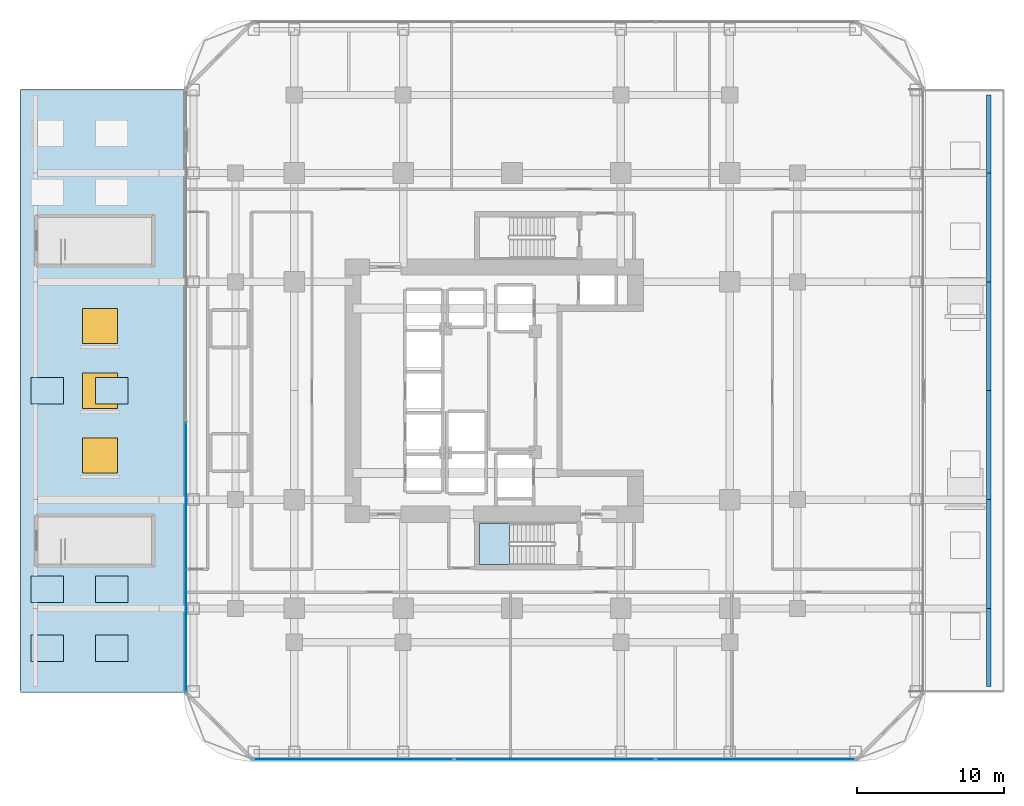
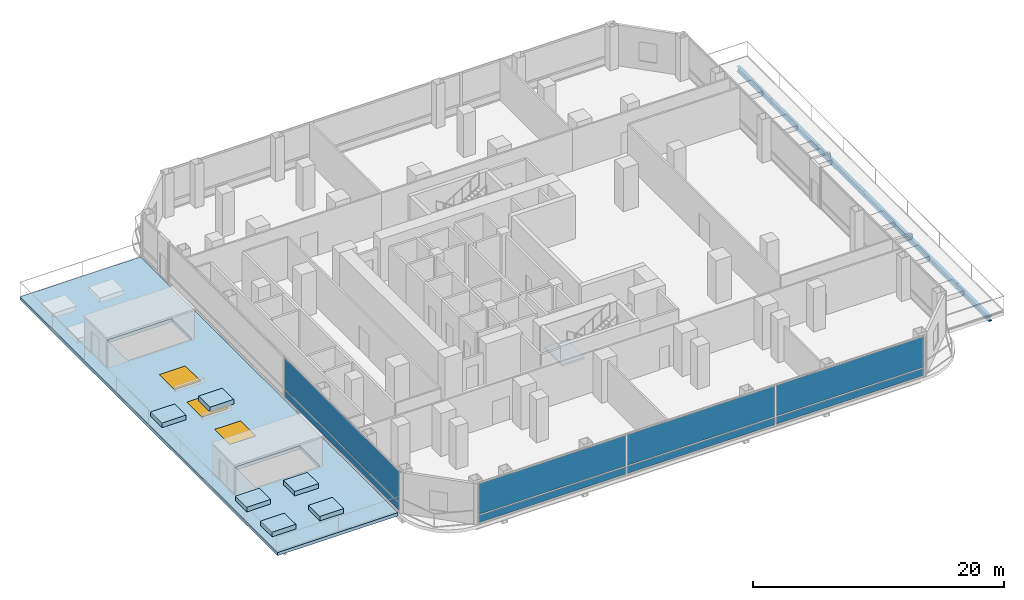
# One storey, part 20 of 29: 8 plates, 8 slabs, 6 beams, 3 windows, 3 openings, 3 elements without a shape of their own.
"""IFC4 building model written with IfcOpenShell, lengths in metres."""

from ifc_helpers import new_model, si_unit, direction, frame, origin, origin_2d, place, context, subcontext, project, spatial, polyline, rectangle, i_section, outline, extrude, material, layer, layer_set, material_profile, profile_set, type_object, element, fill, aggregate, save


model = new_model("IFC4")

# Units and contexts
model_context = context("Model", 3, precision=1e-05, world=origin(), true_north=direction((0.0, 1.0)))
body_context = subcontext(model_context, "Body", "Model", "MODEL_VIEW")
ifc_project = project(units=[si_unit("LENGTHUNIT", "METRE"), si_unit("AREAUNIT", "SQUARE_METRE"), si_unit("VOLUMEUNIT", "CUBIC_METRE"), si_unit("PLANEANGLEUNIT", "RADIAN"), si_unit("MASSUNIT", "GRAM", prefix="KILO")], contexts=[model_context])

# Site, building, storey
site_placement = place(None, origin())
site = spatial("IfcSite", under=ifc_project, at=site_placement, CompositionType="ELEMENT")
building_placement = place(site_placement, origin())
building = spatial("IfcBuilding", under=site, at=building_placement, Name="Khorvyn Point Tower", CompositionType="ELEMENT")
storey_placement = place(building_placement, frame((0.0, 0.0, 26.39990234375)))
storey = spatial("IfcBuildingStorey", under=building, at=storey_placement, Name="L07", CompositionType="ELEMENT", Elevation=26.39990234375)

# Beams
ifc_material_1 = material(Name="Steel S355", Category="steel")
ifc_material_profile = material_profile(ifc_material_1, i_section(OverallWidth=0.300048828125, OverallDepth=0.488037109375, WebThickness=0.010986328125, FlangeThickness=0.01806640625, at=origin_2d()))
ifc_profile_set = profile_set([ifc_material_profile], Name="Steel S355 H488x300x11x18")
beam_type = type_object("IfcBeamType", Name="Steel S355 Spandrel H488x300x11x18", PredefinedType="SPANDREL", material=ifc_profile_set)
beam_1_placement = place(storey_placement, frame((32.39990234375, -20.10009765625, -0.56396484375), z_axis=(0.0, 1.0, 0.0), x_axis=(-1.0, 0.0, 0.0)))
element("IfcBeam", 1, at=beam_1_placement, inside=storey, type_object=beam_type, Name="Beam", PredefinedType="SPANDREL", context=body_context, shape_type="SweptSolid", body=[
    extrude(i_section(OverallWidth=0.300048828125, OverallDepth=0.488037109375, WebThickness=0.010986328125, FlangeThickness=0.01806640625, at=origin_2d()), origin(), (0.0, 0.0, 1.0), 5.300048828125),
])
beam_2_placement = place(storey_placement, frame((32.39990234375, -14.800048828125, -0.56396484375), z_axis=(0.0, 1.0, 0.0), x_axis=(-1.0, 0.0, 0.0)))
element("IfcBeam", 2, at=beam_2_placement, inside=storey, type_object=beam_type, Name="Beam", PredefinedType="SPANDREL", context=body_context, shape_type="SweptSolid", body=[
    extrude(i_section(OverallWidth=0.300048828125, OverallDepth=0.488037109375, WebThickness=0.010986328125, FlangeThickness=0.01806640625, at=origin_2d()), origin(), (0.0, 0.0, 1.0), 7.400146484375),
])
for number, where, z_axis, x_axis, name in (
    (3, (32.39990234375, -7.39990234375, -0.56396484375), (0.0, 1.0, 0.0), (-1.0, 0.0, 0.0), "Beam"),
    (4, (32.39990234375, 0.0, -0.56396484375), (0.0, 1.0, 0.0), (-1.0, 0.0, 0.0), "Beam"),
):
    element("IfcBeam", number, at=place(storey_placement, frame(where, z_axis=z_axis, x_axis=x_axis)), inside=storey, type_object=beam_type, Name=name, PredefinedType="SPANDREL", context=body_context, shape_type="SweptSolid", body=[
        extrude(i_section(OverallWidth=0.300048828125, OverallDepth=0.488037109375, WebThickness=0.010986328125, FlangeThickness=0.01806640625, at=origin_2d()), origin(), (0.0, 0.0, 1.0), 7.39990234375),
    ])
beam_3_placement = place(storey_placement, frame((32.39990234375, 7.39990234375, -0.56396484375), z_axis=(0.0, 1.0, 0.0), x_axis=(-1.0, 0.0, 0.0)))
element("IfcBeam", 5, at=beam_3_placement, inside=storey, type_object=beam_type, Name="Beam", PredefinedType="SPANDREL", context=body_context, shape_type="SweptSolid", body=[
    extrude(i_section(OverallWidth=0.300048828125, OverallDepth=0.488037109375, WebThickness=0.010986328125, FlangeThickness=0.01806640625, at=origin_2d()), origin(), (0.0, 0.0, 1.0), 7.400146484375),
])
beam_4_placement = place(storey_placement, frame((32.39990234375, 14.800048828125, -0.56396484375), z_axis=(0.0, 1.0, 0.0), x_axis=(-1.0, 0.0, 0.0)))
element("IfcBeam", 6, at=beam_4_placement, inside=storey, type_object=beam_type, Name="Beam", PredefinedType="SPANDREL", context=body_context, shape_type="SweptSolid", body=[
    extrude(i_section(OverallWidth=0.300048828125, OverallDepth=0.488037109375, WebThickness=0.010986328125, FlangeThickness=0.01806640625, at=origin_2d()), origin(), (0.0, 0.0, 1.0), 5.300048828125),
])

# Slabs
ifc_material_2 = material(Name="Concrete C35/45", Category="concrete")
ifc_layer_1 = layer(ifc_material_2, 0.449951171875)
ifc_layer_set_1 = layer_set([ifc_layer_1], Name="Concrete C35/45 Structural Garden Planter 450")
slab_type_1 = type_object("IfcSlabType", Name="Concrete C35/45 Structural Garden Planter 450", PredefinedType="USERDEFINED", material=ifc_layer_set_1)
slab_1_placement = place(storey_placement, origin())
element("IfcSlab", 7, at=slab_1_placement, inside=storey, type_object=slab_type_1, Name="L07 Botanical Garden Raised Planter 01", ObjectType="PLANTER", PredefinedType="USERDEFINED", context=body_context, shape_type="SweptSolid", body=[
    extrude(outline(polyline([(-32.699951171875, -18.39990234375), (-30.5, -18.39990234375), (-30.5, -16.60009765625), (-32.699951171875, -16.60009765625), (-32.699951171875, -18.39990234375)])), origin(), (0.0, 0.0, 1.0), 0.4501953125),
])
slab_2_placement = place(storey_placement, origin())
element("IfcSlab", 8, at=slab_2_placement, inside=storey, type_object=slab_type_1, Name="L07 Botanical Garden Raised Planter 02", ObjectType="PLANTER", PredefinedType="USERDEFINED", context=body_context, shape_type="SweptSolid", body=[
    extrude(outline(polyline([(-28.300048828125, -18.39990234375), (-26.10009765625, -18.39990234375), (-26.10009765625, -16.60009765625), (-28.300048828125, -16.60009765625), (-28.300048828125, -18.39990234375)])), origin(), (0.0, 0.0, 1.0), 0.4501953125),
])
slab_3_placement = place(storey_placement, origin())
element("IfcSlab", 9, at=slab_3_placement, inside=storey, type_object=slab_type_1, Name="L07 Botanical Garden Raised Planter 03", ObjectType="PLANTER", PredefinedType="USERDEFINED", context=body_context, shape_type="SweptSolid", body=[
    extrude(outline(polyline([(-32.699951171875, -14.39990234375), (-30.5, -14.39990234375), (-30.5, -12.60009765625), (-32.699951171875, -12.60009765625), (-32.699951171875, -14.39990234375)])), origin(), (0.0, 0.0, 1.0), 0.4501953125),
])
slab_4_placement = place(storey_placement, origin())
element("IfcSlab", 10, at=slab_4_placement, inside=storey, type_object=slab_type_1, Name="L07 Botanical Garden Raised Planter 04", ObjectType="PLANTER", PredefinedType="USERDEFINED", context=body_context, shape_type="SweptSolid", body=[
    extrude(outline(polyline([(-28.300048828125, -14.39990234375), (-26.10009765625, -14.39990234375), (-26.10009765625, -12.60009765625), (-28.300048828125, -12.60009765625), (-28.300048828125, -14.39990234375)])), origin(), (0.0, 0.0, 1.0), 0.4501953125),
])
slab_5_placement = place(storey_placement, origin())
element("IfcSlab", 11, at=slab_5_placement, inside=storey, type_object=slab_type_1, Name="L07 Botanical Garden Raised Planter 05", ObjectType="PLANTER", PredefinedType="USERDEFINED", context=body_context, shape_type="SweptSolid", body=[
    extrude(outline(polyline([(-32.699951171875, -0.89990234375), (-30.5, -0.89990234375), (-30.5, 0.89990234375), (-32.699951171875, 0.89990234375), (-32.699951171875, -0.89990234375)])), origin(), (0.0, 0.0, 1.0), 0.4501953125),
])
slab_6_placement = place(storey_placement, origin())
element("IfcSlab", 12, at=slab_6_placement, inside=storey, type_object=slab_type_1, Name="L07 Botanical Garden Raised Planter 06", ObjectType="PLANTER", PredefinedType="USERDEFINED", context=body_context, shape_type="SweptSolid", body=[
    extrude(outline(polyline([(-28.300048828125, -0.89990234375), (-26.10009765625, -0.89990234375), (-26.10009765625, 0.89990234375), (-28.300048828125, 0.89990234375), (-28.300048828125, -0.89990234375)])), origin(), (0.0, 0.0, 1.0), 0.4501953125),
])

# Slab, openings, windows
ifc_material_3 = material(Name="Concrete C40/50", Category="concrete")
ifc_layer_2 = layer(ifc_material_3, 0.300048828125)
ifc_layer_set_2 = layer_set([ifc_layer_2], Name="Concrete C40/50 Botanical Garden Roof Slab 300")
slab_type_2 = type_object("IfcSlabType", Name="Concrete C40/50 Botanical Garden Roof Slab 300", PredefinedType="ROOF", material=ifc_layer_set_2)
slab_7_placement = place(storey_placement, frame((0.0, 0.0, -0.31982421875)))
slab_7 = element("IfcSlab", 13, at=slab_7_placement, inside=storey, type_object=slab_type_2, Name="L07 West Raised Botanical Garden and School Play Deck", PredefinedType="ROOF", context=body_context, shape_type="SweptSolid", body=[
    extrude(outline(polyline([(-33.39990234375, 20.5), (-22.320068359375, 20.5), (-22.320068359375, -20.5), (-33.39990234375, -20.5), (-33.39990234375, 20.5)]), holes=[polyline([(-30.3798828125, -8.56005859375), (-30.3798828125, -11.820068359375), (-24.449951171875, -11.820068359375), (-24.449951171875, -8.56005859375), (-30.3798828125, -8.56005859375)]), polyline([(-30.3798828125, 11.820068359375), (-30.3798828125, 8.56005859375), (-24.449951171875, 8.56005859375), (-24.449951171875, 11.820068359375), (-30.3798828125, 11.820068359375)])]), origin(), (0.0, 0.0, 1.0), 0.31982421875),
])
opening_1_placement = place(slab_7_placement, frame((-28.0, -4.39990234375, 0.0)))
opening_1 = element("IfcOpeningElement", 14, at=opening_1_placement, cuts=slab_7, Name="Opening SK-2424", PredefinedType="OPENING", context=body_context, shape_type="SweptSolid", body=[
    extrude(rectangle(XDim=2.39990234375, YDim=2.39990234375, at=origin_2d()), origin(), (0.0, 0.0, 1.0), 0.31982421875),
])
opening_2_placement = place(slab_7_placement, frame((-28.0, 4.39990234375, 0.0)))
opening_2 = element("IfcOpeningElement", 15, at=opening_2_placement, cuts=slab_7, Name="Opening SK-2424", PredefinedType="OPENING", context=body_context, shape_type="SweptSolid", body=[
    extrude(rectangle(XDim=2.39990234375, YDim=2.39990234375, at=origin_2d()), origin(), (0.0, 0.0, 1.0), 0.31982421875),
])
opening_3_placement = place(slab_7_placement, frame((-28.0, 0.0, 0.0)))
opening_3 = element("IfcOpeningElement", 16, at=opening_3_placement, cuts=slab_7, Name="Opening SK-2424", PredefinedType="OPENING", context=body_context, shape_type="SweptSolid", body=[
    extrude(rectangle(XDim=2.39990234375, YDim=2.39990234375, at=origin_2d()), origin(), (0.0, 0.0, 1.0), 0.31982421875),
])
ifc_material_4 = material(Name="Anodised aluminium 6063-T6 and laminated Low-E glass", Category="aluminium")
window_type = type_object("IfcWindowType", Name="Anodised Aluminium Laminated Safety-Glass Roof Skylight 2400x2400", PartitioningType="SINGLE_PANEL", PredefinedType="SKYLIGHT", material=ifc_material_4)
window_1_placement = place(opening_1_placement, frame((0.0, 0.0, 0.269775390625)))
window_1 = element("IfcWindow", 17, at=window_1_placement, inside=storey, type_object=window_type, Name="L07 Podium Classroom Roof Skylight 01", OverallHeight=2.39990234375, OverallWidth=2.39990234375, PartitioningType="SINGLE_PANEL", PredefinedType="SKYLIGHT", context=body_context, shape_type="SweptSolid", body=[
    extrude(rectangle(XDim=2.39990234375, YDim=2.39990234375, at=origin_2d()), origin(), (0.0, 0.0, 1.0), 0.050048828125),
])
fill(opening_1, window_1)
window_2_placement = place(opening_2_placement, frame((0.0, 0.0, 0.269775390625)))
window_2 = element("IfcWindow", 18, at=window_2_placement, inside=storey, type_object=window_type, Name="L07 Podium Classroom Roof Skylight 02", OverallHeight=2.39990234375, OverallWidth=2.39990234375, PartitioningType="SINGLE_PANEL", PredefinedType="SKYLIGHT", context=body_context, shape_type="SweptSolid", body=[
    extrude(rectangle(XDim=2.39990234375, YDim=2.39990234375, at=origin_2d()), origin(), (0.0, 0.0, 1.0), 0.050048828125),
])
fill(opening_2, window_2)
window_3_placement = place(opening_3_placement, frame((0.0, 0.0, 0.269775390625)))
window_3 = element("IfcWindow", 19, at=window_3_placement, inside=storey, type_object=window_type, Name="L07 Podium Classroom Roof Skylight 03", OverallHeight=2.39990234375, OverallWidth=2.39990234375, PartitioningType="SINGLE_PANEL", PredefinedType="SKYLIGHT", context=body_context, shape_type="SweptSolid", body=[
    extrude(rectangle(XDim=2.39990234375, YDim=2.39990234375, at=origin_2d()), origin(), (0.0, 0.0, 1.0), 0.050048828125),
])
fill(opening_3, window_3)

# Stair, slab
stair_type = type_object("IfcStairType", Name="Tower Concrete C40/50 Dogleg Exit Stair", PredefinedType="HALF_TURN_STAIR", material=ifc_material_3)
stair_placement = place(storey_placement, origin())
stair = element("IfcStair", 20, at=stair_placement, inside=storey, type_object=stair_type, Name="L07 Tower Smokeproof Exit Stair South", PredefinedType="HALF_TURN_STAIR")
ifc_layer_3 = layer(ifc_material_3, 0.199951171875)
ifc_layer_set_3 = layer_set([ifc_layer_3], Name="Concrete C40/50 Stair Landing Slab 200")
slab_type_3 = type_object("IfcSlabType", Name="Concrete C40/50 Stair Landing Slab 200", PredefinedType="LANDING", material=ifc_layer_set_3)
slab_8_placement = place(storey_placement, frame((0.0, 0.0, 1.900146484375)))
slab_8 = element("IfcSlab", 21, at=slab_8_placement, type_object=slab_type_3, Name="ST-01 landing 1", PredefinedType="LANDING", context=body_context, shape_type="SweptSolid", body=[
    extrude(outline(polyline([(-0.179931640625, -9.02001953125), (-2.199951171875, -9.02001953125), (-2.199951171875, -11.820068359375), (-0.179931640625, -11.820068359375), (-0.179931640625, -9.02001953125)])), origin(), (0.0, 0.0, 1.0), 0.199951171875),
])
aggregate(stair, [slab_8])

# Curtain wall, plates
ifc_layer_4 = layer(ifc_material_4, 0.18994140625)
ifc_layer_set_4 = layer_set([ifc_layer_4], Name="Stick-Built Finned Residential Curtain Wall CW-SYS-02")
curtain_wall_type = type_object("IfcCurtainWallType", Name="Stick-Built Finned Residential Curtain Wall CW-SYS-02", PredefinedType="NOTDEFINED", material=ifc_layer_set_4)
curtain_wall_1_placement = place(storey_placement, origin())
curtain_wall_1 = element("IfcCurtainWall", 22, at=curtain_wall_1_placement, inside=storey, type_object=curtain_wall_type, Name="Curtain Wall", PredefinedType="NOTDEFINED")
ifc_material_5 = material(Name="Pale anodised aluminium 5005", Category="aluminium")
ifc_layer_5 = layer(ifc_material_5, 0.0400390625)
ifc_layer_set_5 = layer_set([ifc_layer_5], Name="Pale Champagne Aluminium Insulated Spandrel Panel CW-SP40")
plate_type_1 = type_object("IfcPlateType", Name="Pale Champagne Aluminium Insulated Spandrel Panel CW-SP40", PredefinedType="SHEET", material=ifc_layer_set_5)
plate_1_placement = place(storey_placement, frame((16.574951171875, -25.050048828125, 0.10009765625), z_axis=(0.0, 0.0, 1.0), x_axis=(-1.0, 0.0, 0.0)))
plate_1 = element("IfcPlate", 23, at=plate_1_placement, type_object=plate_type_1, Name="Panel", PredefinedType="SHEET", context=body_context, shape_type="SweptSolid", body=[
    extrude(rectangle(XDim=13.550048828125, YDim=0.0400390625, at=origin_2d()), origin(), (0.0, 0.0, 1.0), 0.699951171875),
])
plate_2_placement = place(storey_placement, frame((2.89990234375, -25.050048828125, 0.10009765625), z_axis=(0.0, 0.0, 1.0), x_axis=(-1.0, 0.0, 0.0)))
plate_2 = element("IfcPlate", 24, at=plate_2_placement, type_object=plate_type_1, Name="Panel", PredefinedType="SHEET", context=body_context, shape_type="SweptSolid", body=[
    extrude(rectangle(XDim=13.60009765625, YDim=0.0400390625, at=origin_2d()), origin(), (0.0, 0.0, 1.0), 0.699951171875),
])
plate_3_placement = place(storey_placement, frame((-10.77490234375, -25.050048828125, 0.10009765625), z_axis=(0.0, 0.0, 1.0), x_axis=(-1.0, 0.0, 0.0)))
plate_3 = element("IfcPlate", 25, at=plate_3_placement, type_object=plate_type_1, Name="Panel", PredefinedType="SHEET", context=body_context, shape_type="SweptSolid", body=[
    extrude(rectangle(XDim=13.550048828125, YDim=0.0400390625, at=origin_2d()), origin(), (0.0, 0.0, 1.0), 0.699951171875),
])

# Curtain wall, plate
curtain_wall_2_placement = place(storey_placement, origin())
curtain_wall_2 = element("IfcCurtainWall", 26, at=curtain_wall_2_placement, inside=storey, type_object=curtain_wall_type, Name="Curtain Wall", PredefinedType="NOTDEFINED")
plate_4_placement = place(storey_placement, frame((-22.14990234375, -11.302490234375, 0.10009765625), z_axis=(0.0, 0.0, 1.0), x_axis=(0.0, 1.0, 0.0)))
plate_4 = element("IfcPlate", 27, at=plate_4_placement, type_object=plate_type_1, Name="Panel", PredefinedType="SHEET", context=body_context, shape_type="SweptSolid", body=[
    extrude(rectangle(XDim=18.294921875, YDim=0.0400390625, at=origin_2d()), origin(), (0.0, 0.0, 1.0), 0.699951171875),
])

# Plate
ifc_material_6 = material(Name="Laminated Low-E insulated glass", Category="glass")
ifc_layer_6 = layer(ifc_material_6, 0.028076171875)
ifc_layer_set_6 = layer_set([ifc_layer_6], Name="Tempered Low-E Vision Glazing Panel CW-GL28")
plate_type_2 = type_object("IfcPlateType", Name="Tempered Low-E Vision Glazing Panel CW-GL28", PredefinedType="CURTAIN_PANEL", material=ifc_layer_set_6)
plate_5_placement = place(storey_placement, frame((16.574951171875, -25.050048828125, 0.900146484375), z_axis=(0.0, 0.0, 1.0), x_axis=(-1.0, 0.0, 0.0)))
plate_5 = element("IfcPlate", 28, at=plate_5_placement, type_object=plate_type_2, Name="Panel", PredefinedType="CURTAIN_PANEL", context=body_context, shape_type="SweptSolid", body=[
    extrude(rectangle(XDim=13.550048828125, YDim=0.028076171875, at=origin_2d()), origin(), (0.0, 0.0, 1.0), 2.97998046875),
])

plate_6_placement = place(storey_placement, frame((2.89990234375, -25.050048828125, 0.900146484375), z_axis=(0.0, 0.0, 1.0), x_axis=(-1.0, 0.0, 0.0)))
plate_6 = element("IfcPlate", 29, at=plate_6_placement, type_object=plate_type_2, Name="Panel", PredefinedType="CURTAIN_PANEL", context=body_context, shape_type="SweptSolid", body=[
    extrude(rectangle(XDim=13.60009765625, YDim=0.028076171875, at=origin_2d()), origin(), (0.0, 0.0, 1.0), 2.97998046875),
])

plate_7_placement = place(storey_placement, frame((-10.77490234375, -25.050048828125, 0.900146484375), z_axis=(0.0, 0.0, 1.0), x_axis=(-1.0, 0.0, 0.0)))
plate_7 = element("IfcPlate", 30, at=plate_7_placement, type_object=plate_type_2, Name="Panel", PredefinedType="CURTAIN_PANEL", context=body_context, shape_type="SweptSolid", body=[
    extrude(rectangle(XDim=13.550048828125, YDim=0.028076171875, at=origin_2d()), origin(), (0.0, 0.0, 1.0), 2.97998046875),
])

aggregate(curtain_wall_1, [plate_1, plate_5, plate_2, plate_6, plate_3, plate_7])

plate_8_placement = place(storey_placement, frame((-22.14990234375, -11.302490234375, 0.900146484375), z_axis=(0.0, 0.0, 1.0), x_axis=(0.0, 1.0, 0.0)))
plate_8 = element("IfcPlate", 31, at=plate_8_placement, type_object=plate_type_2, Name="Panel", PredefinedType="CURTAIN_PANEL", context=body_context, shape_type="SweptSolid", body=[
    extrude(rectangle(XDim=18.294921875, YDim=0.028076171875, at=origin_2d()), origin(), (0.0, 0.0, 1.0), 2.97998046875),
])

aggregate(curtain_wall_2, [plate_4, plate_8])

save(model, "model.ifc")
